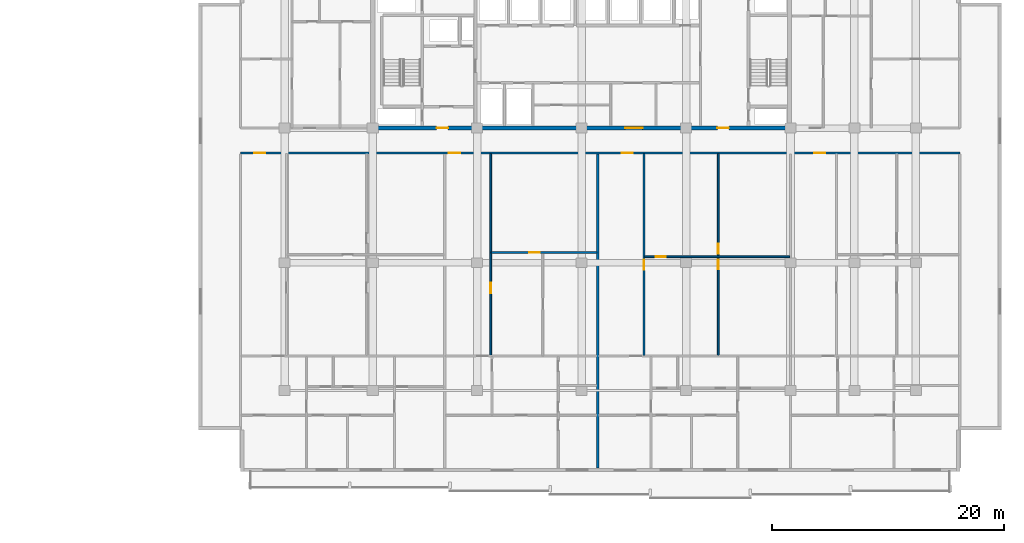
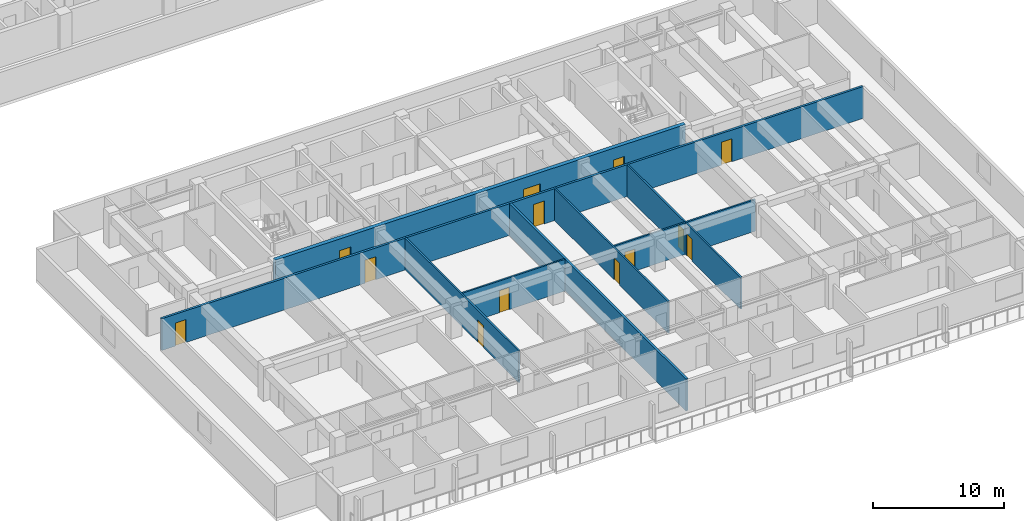
# One storey, part 6 of 23: 13 doors, 8 walls, 13 openings.
"""IFC4 building model written with IfcOpenShell, lengths in metres."""

from ifc_helpers import new_model, si_unit, direction, frame, frame_2d, origin, place, context, subcontext, project, spatial, rectangle, extrude, material, layer, layer_set, type_object, element, fill, save


model = new_model("IFC4")

# Units and contexts
model_context = context("Model", 3, precision=1e-05, world=origin(), true_north=direction((0.0, 1.0)))
body_context = subcontext(model_context, "Body", "Model", "MODEL_VIEW")
ifc_project = project(units=[si_unit("LENGTHUNIT", "METRE"), si_unit("AREAUNIT", "SQUARE_METRE"), si_unit("VOLUMEUNIT", "CUBIC_METRE"), si_unit("PLANEANGLEUNIT", "RADIAN"), si_unit("MASSUNIT", "GRAM", prefix="KILO")], contexts=[model_context])

# Site, building, storey
site_placement = place(None, origin())
site = spatial("IfcSite", under=ifc_project, at=site_placement, CompositionType="ELEMENT")
building_placement = place(site_placement, origin())
building = spatial("IfcBuilding", under=site, at=building_placement, Name="Korimba Cascade Residences", CompositionType="ELEMENT")
storey_placement = place(building_placement, frame((0.0, 0.0, 69.5)))
storey = spatial("IfcBuildingStorey", under=building, at=storey_placement, Name="L19", CompositionType="ELEMENT", Elevation=69.5)

# Wall, openings, doors
ifc_material_1 = material(Name="Concrete C65/80", Category="concrete")
ifc_layer_1 = layer(ifc_material_1, 0.35009765625)
ifc_layer_set_1 = layer_set([ifc_layer_1], Name="Concrete C65/80")
wall_type_1 = type_object("IfcWallType", Name="WAL-CORE-350", PredefinedType="SHEAR", material=ifc_layer_set_1)
wall_1_placement = place(storey_placement, frame((81.925048828125, 18.39990234375, 0.0), z_axis=(0.0, 0.0, 1.0), x_axis=(1.0, 0.0, 0.0)))
wall_1 = element("IfcWall", 1, at=wall_1_placement, inside=storey, type_object=wall_type_1, Name="L19 Core Shear Wall CW-L19-T2-S", PredefinedType="SHEAR", context=body_context, shape_type="SweptSolid", body=[
    extrude(rectangle(XDim=36.264892578125, YDim=0.35009765625, at=frame_2d((18.13232421875, 0.0))), origin(), (0.0, 0.0, 1.0), 3.25),
])
opening_1_placement = place(wall_1_placement, frame((5.675048828125, 0.0, 0.0)))
opening_1 = element("IfcOpeningElement", 2, at=opening_1_placement, cuts=wall_1, Name="Opening D-FD5", PredefinedType="OPENING", context=body_context, shape_type="SweptSolid", body=[
    extrude(rectangle(XDim=1.0, YDim=2.14990234375, at=frame_2d((0.5, 1.074951171875))), frame((0.0, 0.18505859375, 0.0), z_axis=(0.0, -1.0, 0.0), x_axis=(1.0, 0.0, 0.0)), (0.0, 0.0, 1.0), 0.3701171875),
])
opening_2_placement = place(wall_1_placement, frame((21.925048828125, 0.0, 0.0)))
opening_2 = element("IfcOpeningElement", 3, at=opening_2_placement, cuts=wall_1, Name="Opening D-FD8", PredefinedType="OPENING", context=body_context, shape_type="SweptSolid", body=[
    extrude(rectangle(XDim=1.5, YDim=2.199951171875, at=frame_2d((0.75, 1.10009765625))), frame((0.0, 0.18505859375, 0.0), z_axis=(0.0, -1.0, 0.0), x_axis=(1.0, 0.0, 0.0)), (0.0, 0.0, 1.0), 0.3701171875),
])
opening_3_placement = place(wall_1_placement, frame((29.875, 0.0, 0.0)))
opening_3 = element("IfcOpeningElement", 4, at=opening_3_placement, cuts=wall_1, Name="Opening D-FD5", PredefinedType="OPENING", context=body_context, shape_type="SweptSolid", body=[
    extrude(rectangle(XDim=1.0, YDim=2.14990234375, at=frame_2d((0.5, 1.074951171875))), frame((0.0, 0.18505859375, 0.0), z_axis=(0.0, -1.0, 0.0), x_axis=(1.0, 0.0, 0.0)), (0.0, 0.0, 1.0), 0.3701171875),
])
ifc_material_2 = material(Name="Fire-Rated Acoustic Timber Vestibule Door", Category="wood")
door_type_1 = type_object("IfcDoorType", Name="DR-FD90-1000", OperationType="NOTDEFINED", PredefinedType="DOOR", material=ifc_material_2)
door_1_placement = place(opening_1_placement, origin())
door_1 = element("IfcDoor", 5, at=door_1_placement, inside=storey, type_object=door_type_1, Name="L19 T2 West Core Vestibule Fire Door", OperationType="SINGLE_SWING_LEFT", OverallHeight=2.14990234375, OverallWidth=1.0, PredefinedType="DOOR", context=body_context, shape_type="SweptSolid", body=[
    extrude(rectangle(XDim=1.0, YDim=2.14990234375, at=frame_2d((0.5, 1.074951171875))), frame((0.0, 0.02490234375, 0.0), z_axis=(0.0, -1.0, 0.0), x_axis=(1.0, 0.0, 0.0)), (0.0, 0.0, 1.0), 0.050048828125),
])
fill(opening_1, door_1)
door_2_placement = place(opening_3_placement, origin())
door_2 = element("IfcDoor", 6, at=door_2_placement, inside=storey, type_object=door_type_1, Name="L19 T2 East Stair Vestibule Fire Door", OperationType="SINGLE_SWING_RIGHT", OverallHeight=2.14990234375, OverallWidth=1.0, PredefinedType="DOOR", context=body_context, shape_type="SweptSolid", body=[
    extrude(rectangle(XDim=1.0, YDim=2.14990234375, at=frame_2d((0.5, 1.074951171875))), frame((0.0, 0.02490234375, 0.0), z_axis=(0.0, -1.0, 0.0), x_axis=(1.0, 0.0, 0.0)), (0.0, 0.0, 1.0), 0.050048828125),
])
fill(opening_3, door_2)
ifc_material_3 = material(Name="Fire-Rated Glazed Lift Lobby Double Door", Category="glass")
door_type_2 = type_object("IfcDoorType", Name="DR-FD90-1500", OperationType="NOTDEFINED", PredefinedType="DOOR", material=ifc_material_3)
door_3_placement = place(opening_2_placement, origin())
door_3 = element("IfcDoor", 7, at=door_3_placement, inside=storey, type_object=door_type_2, Name="L19 T2 Lift Lobby Fire Door", OperationType="DOUBLE_DOOR_SINGLE_SWING", OverallHeight=2.199951171875, OverallWidth=1.5, PredefinedType="DOOR", context=body_context, shape_type="SweptSolid", body=[
    extrude(rectangle(XDim=1.5, YDim=2.199951171875, at=frame_2d((0.75, 1.10009765625))), frame((0.0, 0.02490234375, 0.0), z_axis=(0.0, -1.0, 0.0), x_axis=(1.0, 0.0, 0.0)), (0.0, 0.0, 1.0), 0.050048828125),
])
fill(opening_2, door_3)

# Wall
ifc_material_4 = material(Name="Precast concrete C40/50", Category="concrete")
ifc_layer_2 = layer(ifc_material_4, 0.199951171875)
ifc_layer_set_2 = layer_set([ifc_layer_2], Name="Precast concrete C40/50")
wall_type_2 = type_object("IfcWallType", Name="WAL-IT-200", PredefinedType="PARTITIONING", material=ifc_layer_set_2)
wall_2_placement = place(storey_placement, frame((101.5, -10.89990234375, 0.0), z_axis=(0.0, 0.0, 1.0), x_axis=(0.0, 1.0, 0.0)))
element("IfcWall", 8, at=wall_2_placement, inside=storey, type_object=wall_type_2, Name="L19 Partition Wall WAL-L19-T2-DEM-2", PredefinedType="PARTITIONING", context=body_context, shape_type="SweptSolid", body=[
    extrude(rectangle(XDim=27.06982421875, YDim=0.199951171875, at=frame_2d((13.534912109375, 0.0))), origin(), (0.0, 0.0, 1.0), 2.969970703125),
])

# Wall, openings, doors
wall_3_placement = place(storey_placement, frame((70.699951171875, 16.25, 0.0), z_axis=(0.0, 0.0, 1.0), x_axis=(1.0, 0.0, 0.0)))
wall_3 = element("IfcWall", 9, at=wall_3_placement, inside=storey, type_object=wall_type_2, Name="L19 Partition Wall WAL-L19-T2-CORS", PredefinedType="PARTITIONING", context=body_context, shape_type="SweptSolid", body=[
    extrude(rectangle(XDim=62.0, YDim=0.199951171875, at=frame_2d((31.0, 0.0))), origin(), (0.0, 0.0, 1.0), 2.969970703125),
])
opening_4_placement = place(wall_3_placement, frame((1.18603515625, 0.0, 0.0)))
opening_4 = element("IfcOpeningElement", 10, at=opening_4_placement, cuts=wall_3, Name="Opening D-UN1", PredefinedType="OPENING", context=body_context, shape_type="SweptSolid", body=[
    extrude(rectangle(XDim=0.949951171875, YDim=2.14990234375, at=frame_2d((0.47509765625, 1.074951171875))), frame((0.0, 0.10986328125, 0.0), z_axis=(0.0, -1.0, 0.0), x_axis=(1.0, 0.0, 0.0)), (0.0, 0.0, 1.0), 0.219970703125),
])
opening_5_placement = place(wall_3_placement, frame((17.969970703125, 0.0, 0.0)))
opening_5 = element("IfcOpeningElement", 11, at=opening_5_placement, cuts=wall_3, Name="Opening D-UN1", PredefinedType="OPENING", context=body_context, shape_type="SweptSolid", body=[
    extrude(rectangle(XDim=0.949951171875, YDim=2.14990234375, at=frame_2d((0.47509765625, 1.074951171875))), frame((0.0, 0.10986328125, 0.0), z_axis=(0.0, -1.0, 0.0), x_axis=(1.0, 0.0, 0.0)), (0.0, 0.0, 1.0), 0.219970703125),
])
opening_6_placement = place(wall_3_placement, frame((32.844970703125, 0.0, 0.0)))
opening_6 = element("IfcOpeningElement", 12, at=opening_6_placement, cuts=wall_3, Name="Opening D-UN1", PredefinedType="OPENING", context=body_context, shape_type="SweptSolid", body=[
    extrude(rectangle(XDim=0.949951171875, YDim=2.14990234375, at=frame_2d((0.47509765625, 1.074951171875))), frame((0.0, 0.10986328125, 0.0), z_axis=(0.0, -1.0, 0.0), x_axis=(1.0, 0.0, 0.0)), (0.0, 0.0, 1.0), 0.219970703125),
])
opening_7_placement = place(wall_3_placement, frame((49.445068359375, 0.0, 0.0)))
opening_7 = element("IfcOpeningElement", 13, at=opening_7_placement, cuts=wall_3, Name="Opening D-UN1", PredefinedType="OPENING", context=body_context, shape_type="SweptSolid", body=[
    extrude(rectangle(XDim=0.949951171875, YDim=2.14990234375, at=frame_2d((0.47509765625, 1.074951171875))), frame((0.0, 0.10986328125, 0.0), z_axis=(0.0, -1.0, 0.0), x_axis=(1.0, 0.0, 0.0)), (0.0, 0.0, 1.0), 0.219970703125),
])
ifc_material_5 = material(Name="Fire-Rated Hardwood Apartment Entrance Door", Category="wood")
door_type_3 = type_object("IfcDoorType", Name="DR-FD60-950", OperationType="NOTDEFINED", PredefinedType="DOOR", material=ifc_material_5)
door_4_placement = place(opening_4_placement, origin())
door_4 = element("IfcDoor", 14, at=door_4_placement, inside=storey, type_object=door_type_3, Name="Unit L19-T2-U01 Entrance Door", OperationType="SINGLE_SWING_RIGHT", OverallHeight=2.14990234375, OverallWidth=0.949951171875, PredefinedType="DOOR", context=body_context, shape_type="SweptSolid", body=[
    extrude(rectangle(XDim=0.949951171875, YDim=2.14990234375, at=frame_2d((0.47509765625, 1.074951171875))), frame((0.0, 0.02490234375, 0.0), z_axis=(0.0, -1.0, 0.0), x_axis=(1.0, 0.0, 0.0)), (0.0, 0.0, 1.0), 0.050048828125),
])
fill(opening_4, door_4)
door_5_placement = place(opening_5_placement, origin())
door_5 = element("IfcDoor", 15, at=door_5_placement, inside=storey, type_object=door_type_3, Name="Unit L19-T2-U02 Entrance Door", OperationType="SINGLE_SWING_LEFT", OverallHeight=2.14990234375, OverallWidth=0.949951171875, PredefinedType="DOOR", context=body_context, shape_type="SweptSolid", body=[
    extrude(rectangle(XDim=0.949951171875, YDim=2.14990234375, at=frame_2d((0.47509765625, 1.074951171875))), frame((0.0, 0.02490234375, 0.0), z_axis=(0.0, -1.0, 0.0), x_axis=(1.0, 0.0, 0.0)), (0.0, 0.0, 1.0), 0.050048828125),
])
fill(opening_5, door_5)
door_6_placement = place(opening_6_placement, origin())
door_6 = element("IfcDoor", 16, at=door_6_placement, inside=storey, type_object=door_type_3, Name="Unit L19-T2-U03 Entrance Door", OperationType="SINGLE_SWING_RIGHT", OverallHeight=2.14990234375, OverallWidth=0.949951171875, PredefinedType="DOOR", context=body_context, shape_type="SweptSolid", body=[
    extrude(rectangle(XDim=0.949951171875, YDim=2.14990234375, at=frame_2d((0.47509765625, 1.074951171875))), frame((0.0, 0.02490234375, 0.0), z_axis=(0.0, -1.0, 0.0), x_axis=(1.0, 0.0, 0.0)), (0.0, 0.0, 1.0), 0.050048828125),
])
fill(opening_6, door_6)
door_7_placement = place(opening_7_placement, origin())
door_7 = element("IfcDoor", 17, at=door_7_placement, inside=storey, type_object=door_type_3, Name="Unit L19-T2-U04 Entrance Door", OperationType="SINGLE_SWING_LEFT", OverallHeight=2.14990234375, OverallWidth=0.949951171875, PredefinedType="DOOR", context=body_context, shape_type="SweptSolid", body=[
    extrude(rectangle(XDim=0.949951171875, YDim=2.14990234375, at=frame_2d((0.47509765625, 1.074951171875))), frame((0.0, 0.02490234375, 0.0), z_axis=(0.0, -1.0, 0.0), x_axis=(1.0, 0.0, 0.0)), (0.0, 0.0, 1.0), 0.050048828125),
])
fill(opening_7, door_7)

# Wall, opening, door
ifc_material_6 = material(Name="Insulated Acoustic Stud Partition", Category="gypsum")
ifc_layer_3 = layer(ifc_material_6, 0.14990234375)
ifc_layer_set_3 = layer_set([ifc_layer_3], Name="Insulated Acoustic Stud Partition")
wall_type_3 = type_object("IfcWallType", Name="WAL-PART-150", PredefinedType="PARTITIONING", material=ifc_layer_set_3)
wall_4_placement = place(storey_placement, frame((92.330078125, 7.669921875, 0.0), z_axis=(0.0, 0.0, 1.0), x_axis=(1.0, 0.0, 0.0)))
wall_4 = element("IfcWall", 18, at=wall_4_placement, inside=storey, type_object=wall_type_3, Name="L19 Partition Wall WAL-L19-T2-U02-FMH", PredefinedType="PARTITIONING", context=body_context, shape_type="SweptSolid", body=[
    extrude(rectangle(XDim=9.08984375, YDim=0.14990234375, at=frame_2d((4.544921875, 0.0))), origin(), (0.0, 0.0, 1.0), 2.969970703125),
])
opening_8_placement = place(wall_4_placement, frame((3.265380859375, 0.0, 0.0)))
opening_8 = element("IfcOpeningElement", 19, at=opening_8_placement, cuts=wall_4, Name="Opening D-IN2", PredefinedType="OPENING", context=body_context, shape_type="SweptSolid", body=[
    extrude(rectangle(XDim=0.8798828125, YDim=2.06005859375, at=frame_2d((0.43994140625, 1.030029296875))), frame((0.0, 0.0849609375, 0.0), z_axis=(0.0, -1.0, 0.0), x_axis=(1.0, 0.0, 0.0)), (0.0, 0.0, 1.0), 0.169921875),
])
ifc_material_7 = material(Name="Acoustic Timber Bedroom Door", Category="wood")
door_type_4 = type_object("IfcDoorType", Name="DR-INT-880", OperationType="NOTDEFINED", PredefinedType="DOOR", material=ifc_material_7)
door_8_placement = place(opening_8_placement, origin())
door_8 = element("IfcDoor", 20, at=door_8_placement, inside=storey, type_object=door_type_4, Name="L19-T2-U02 Library Salon Door", OperationType="SINGLE_SWING_LEFT", OverallHeight=2.06005859375, OverallWidth=0.8798828125, PredefinedType="DOOR", context=body_context, shape_type="SweptSolid", body=[
    extrude(rectangle(XDim=0.8798828125, YDim=2.06005859375, at=frame_2d((0.43994140625, 1.030029296875))), frame((0.0, 0.02490234375, 0.0), z_axis=(0.0, -1.0, 0.0), x_axis=(1.0, 0.0, 0.0)), (0.0, 0.0, 1.0), 0.050048828125),
])
fill(opening_8, door_8)

wall_5_placement = place(storey_placement, frame((92.27001953125, -1.2099609375, 0.0), z_axis=(0.0, 0.0, 1.0), x_axis=(0.0, 1.0, 0.0)))
wall_5 = element("IfcWall", 21, at=wall_5_placement, inside=storey, type_object=wall_type_3, Name="L19 Partition Wall WAL-L19-T2-U02-FV", PredefinedType="PARTITIONING", context=body_context, shape_type="SweptSolid", body=[
    extrude(rectangle(XDim=17.39990234375, YDim=0.14990234375, at=frame_2d((8.699951171875, 0.0))), origin(), (0.0, 0.0, 1.0), 2.969970703125),
])
opening_9_placement = place(wall_5_placement, frame((5.382080078125, 0.0, 0.0)))
opening_9 = element("IfcOpeningElement", 22, at=opening_9_placement, cuts=wall_5, Name="Opening D-IN2", PredefinedType="OPENING", context=body_context, shape_type="SweptSolid", body=[
    extrude(rectangle(XDim=0.8798828125, YDim=2.06005859375, at=frame_2d((0.43994140625, 1.030029296875))), frame((0.0, 0.0849609375, 0.0), z_axis=(0.0, -1.0, 0.0), x_axis=(1.0, 0.0, 0.0)), (0.0, 0.0, 1.0), 0.169921875),
])
door_9_placement = place(opening_9_placement, origin())
door_9 = element("IfcDoor", 23, at=door_9_placement, inside=storey, type_object=door_type_4, Name="L19-T2-U02 Media Lounge Door", OperationType="SINGLE_SWING_RIGHT", OverallHeight=2.06005859375, OverallWidth=0.8798828125, PredefinedType="DOOR", context=body_context, shape_type="SweptSolid", body=[
    extrude(rectangle(XDim=0.8798828125, YDim=2.06005859375, at=frame_2d((0.43994140625, 1.030029296875))), frame((0.0, 0.02490234375, 0.0), z_axis=(0.0, -1.0, 0.0), x_axis=(1.0, 0.0, 0.0)), (0.0, 0.0, 1.0), 0.050048828125),
])
fill(opening_9, door_9)

# Wall, openings, doors
wall_6_placement = place(storey_placement, frame((111.875, -1.2099609375, 0.0), z_axis=(0.0, 0.0, 1.0), x_axis=(0.0, 1.0, 0.0)))
wall_6 = element("IfcWall", 24, at=wall_6_placement, inside=storey, type_object=wall_type_3, Name="L19 Partition Wall WAL-L19-T2-U03-FMV", PredefinedType="PARTITIONING", context=body_context, shape_type="SweptSolid", body=[
    extrude(rectangle(XDim=17.39990234375, YDim=0.14990234375, at=frame_2d((8.699951171875, 0.0))), origin(), (0.0, 0.0, 1.0), 2.969970703125),
])
opening_10_placement = place(wall_6_placement, frame((7.429931640625, 0.0, 0.0)))
opening_10 = element("IfcOpeningElement", 25, at=opening_10_placement, cuts=wall_6, Name="Opening D-BT1", PredefinedType="OPENING", context=body_context, shape_type="SweptSolid", body=[
    extrude(rectangle(XDim=0.840087890625, YDim=2.0400390625, at=frame_2d((0.419921875, 1.02001953125))), frame((0.0, 0.0849609375, 0.0), z_axis=(0.0, -1.0, 0.0), x_axis=(1.0, 0.0, 0.0)), (0.0, 0.0, 1.0), 0.169921875),
])
opening_11_placement = place(wall_6_placement, frame((8.77001953125, 0.0, 0.0)))
opening_11 = element("IfcOpeningElement", 26, at=opening_11_placement, cuts=wall_6, Name="Opening D-IN2", PredefinedType="OPENING", context=body_context, shape_type="SweptSolid", body=[
    extrude(rectangle(XDim=0.8798828125, YDim=2.06005859375, at=frame_2d((0.43994140625, 1.030029296875))), frame((0.0, 0.0849609375, 0.0), z_axis=(0.0, -1.0, 0.0), x_axis=(1.0, 0.0, 0.0)), (0.0, 0.0, 1.0), 0.169921875),
])
ifc_material_8 = material(Name="Moisture-Resistant Bathroom Timber Door", Category="wood")
door_type_5 = type_object("IfcDoorType", Name="DR-INT-850", OperationType="NOTDEFINED", PredefinedType="DOOR", material=ifc_material_8)
door_10_placement = place(opening_10_placement, origin())
door_10 = element("IfcDoor", 27, at=door_10_placement, inside=storey, type_object=door_type_5, Name="L19-T2-U03 Wardrobe Door", OperationType="SINGLE_SWING_LEFT", OverallHeight=2.0400390625, OverallWidth=0.840087890625, PredefinedType="DOOR", context=body_context, shape_type="SweptSolid", body=[
    extrude(rectangle(XDim=0.840087890625, YDim=2.0400390625, at=frame_2d((0.419921875, 1.02001953125))), frame((0.0, 0.02490234375, 0.0), z_axis=(0.0, -1.0, 0.0), x_axis=(1.0, 0.0, 0.0)), (0.0, 0.0, 1.0), 0.050048828125),
])
fill(opening_10, door_10)
door_11_placement = place(opening_11_placement, origin())
door_11 = element("IfcDoor", 28, at=door_11_placement, inside=storey, type_object=door_type_4, Name="L19-T2-U03 Music Lounge Door", OperationType="SINGLE_SWING_RIGHT", OverallHeight=2.06005859375, OverallWidth=0.8798828125, PredefinedType="DOOR", context=body_context, shape_type="SweptSolid", body=[
    extrude(rectangle(XDim=0.8798828125, YDim=2.06005859375, at=frame_2d((0.43994140625, 1.030029296875))), frame((0.0, 0.02490234375, 0.0), z_axis=(0.0, -1.0, 0.0), x_axis=(1.0, 0.0, 0.0)), (0.0, 0.0, 1.0), 0.050048828125),
])
fill(opening_11, door_11)

# Wall, opening, door
wall_7_placement = place(storey_placement, frame((105.530029296875, 7.31005859375, 0.0), z_axis=(0.0, 0.0, 1.0), x_axis=(1.0, 0.0, 0.0)))
wall_7 = element("IfcWall", 29, at=wall_7_placement, inside=storey, type_object=wall_type_3, Name="L19 Partition Wall WAL-L19-T2-U03-FMH", PredefinedType="PARTITIONING", context=body_context, shape_type="SweptSolid", body=[
    extrude(rectangle(XDim=12.489990234375, YDim=0.14990234375, at=frame_2d((6.2451171875, 0.0))), origin(), (0.0, 0.0, 1.0), 2.969970703125),
])
opening_12_placement = place(wall_7_placement, frame((0.9375, 0.0, 0.0)))
opening_12 = element("IfcOpeningElement", 30, at=opening_12_placement, cuts=wall_7, Name="Opening D-IN2", PredefinedType="OPENING", context=body_context, shape_type="SweptSolid", body=[
    extrude(rectangle(XDim=0.8798828125, YDim=2.06005859375, at=frame_2d((0.43994140625, 1.030029296875))), frame((0.0, 0.0849609375, 0.0), z_axis=(0.0, -1.0, 0.0), x_axis=(1.0, 0.0, 0.0)), (0.0, 0.0, 1.0), 0.169921875),
])
door_12_placement = place(opening_12_placement, origin())
door_12 = element("IfcDoor", 31, at=door_12_placement, inside=storey, type_object=door_type_4, Name="L19-T2-U03 Library Salon Door", OperationType="SINGLE_SWING_LEFT", OverallHeight=2.06005859375, OverallWidth=0.8798828125, PredefinedType="DOOR", context=body_context, shape_type="SweptSolid", body=[
    extrude(rectangle(XDim=0.8798828125, YDim=2.06005859375, at=frame_2d((0.43994140625, 1.030029296875))), frame((0.0, 0.02490234375, 0.0), z_axis=(0.0, -1.0, 0.0), x_axis=(1.0, 0.0, 0.0)), (0.0, 0.0, 1.0), 0.050048828125),
])
fill(opening_12, door_12)

wall_8_placement = place(storey_placement, frame((105.469970703125, -1.2099609375, 0.0), z_axis=(0.0, 0.0, 1.0), x_axis=(0.0, 1.0, 0.0)))
wall_8 = element("IfcWall", 32, at=wall_8_placement, inside=storey, type_object=wall_type_3, Name="L19 Partition Wall WAL-L19-T2-U03-FV", PredefinedType="PARTITIONING", context=body_context, shape_type="SweptSolid", body=[
    extrude(rectangle(XDim=17.39990234375, YDim=0.14990234375, at=frame_2d((8.699951171875, 0.0))), origin(), (0.0, 0.0, 1.0), 2.969970703125),
])
opening_13_placement = place(wall_8_placement, frame((7.389892578125, 0.0, 0.0)))
opening_13 = element("IfcOpeningElement", 33, at=opening_13_placement, cuts=wall_8, Name="Opening D-IN2", PredefinedType="OPENING", context=body_context, shape_type="SweptSolid", body=[
    extrude(rectangle(XDim=0.8798828125, YDim=2.06005859375, at=frame_2d((0.43994140625, 1.030029296875))), frame((0.0, 0.0849609375, 0.0), z_axis=(0.0, -1.0, 0.0), x_axis=(1.0, 0.0, 0.0)), (0.0, 0.0, 1.0), 0.169921875),
])
door_13_placement = place(opening_13_placement, origin())
door_13 = element("IfcDoor", 34, at=door_13_placement, inside=storey, type_object=door_type_4, Name="L19-T2-U03 Media Lounge Door", OperationType="SINGLE_SWING_RIGHT", OverallHeight=2.06005859375, OverallWidth=0.8798828125, PredefinedType="DOOR", context=body_context, shape_type="SweptSolid", body=[
    extrude(rectangle(XDim=0.8798828125, YDim=2.06005859375, at=frame_2d((0.43994140625, 1.030029296875))), frame((0.0, 0.02490234375, 0.0), z_axis=(0.0, -1.0, 0.0), x_axis=(1.0, 0.0, 0.0)), (0.0, 0.0, 1.0), 0.050048828125),
])
fill(opening_13, door_13)

save(model, "model.ifc")
